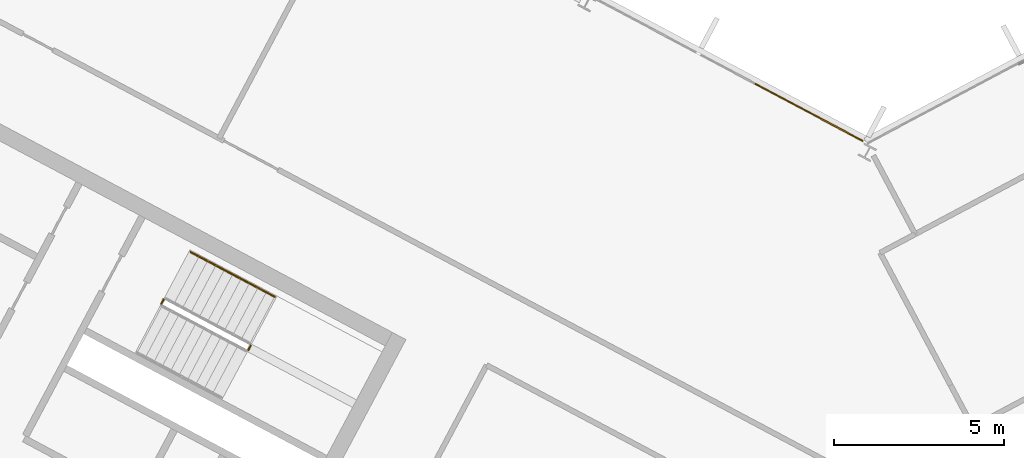
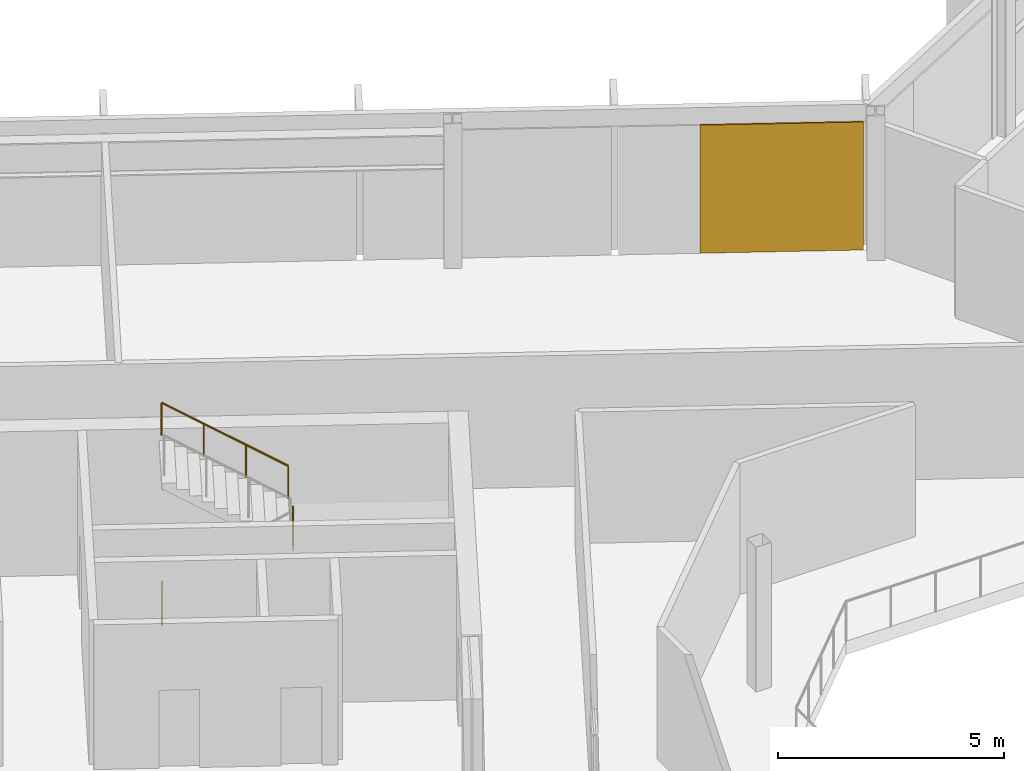
# One storey, part 22 of 25: 3 railings, 1 covering, 1 element without a shape of its own.
"""IFC4 building model written with IfcOpenShell, lengths in metres."""

from ifc_helpers import new_model, si_unit, direction, frame, origin, origin_2d, place, context, subcontext, project, spatial, polyline, rectangle, outline, extrude, material, layer, layer_set, type_object, element, aggregate, save


model = new_model("IFC4")

# Units and contexts
model_context = context("Model", 3, precision=1e-05, world=origin(), true_north=direction((0.0, 1.0)))
body_context = subcontext(model_context, "Body", "Model", "MODEL_VIEW")
ifc_project = project(units=[si_unit("LENGTHUNIT", "METRE"), si_unit("AREAUNIT", "SQUARE_METRE"), si_unit("VOLUMEUNIT", "CUBIC_METRE"), si_unit("PLANEANGLEUNIT", "RADIAN"), si_unit("MASSUNIT", "GRAM", prefix="KILO")], contexts=[model_context])

# Site, building, storey
site_placement = place(None, origin())
site = spatial("IfcSite", under=ifc_project, at=site_placement, CompositionType="ELEMENT")
building_placement = place(site_placement, origin())
building = spatial("IfcBuilding", under=site, at=building_placement, Name="Cormorant Relay Tower", CompositionType="ELEMENT")
storey_placement = place(building_placement, frame((0.0, 0.0, 273.60009765625)))
storey = spatial("IfcBuildingStorey", under=building, at=storey_placement, Name="L61", CompositionType="ELEMENT", Elevation=273.60009765625)

# Curtain wall, covering
ifc_material_1 = material(Name="Aluminium 6063-T6 anodised bronze", Category="aluminium")
ifc_layer_1 = layer(ifc_material_1, 0.199951171875)
ifc_layer_set_1 = layer_set([ifc_layer_1], Name="CW1 unitised bronze curtain wall with vertical fins")
curtain_wall_type = type_object("IfcCurtainWallType", Name="CW1 unitised bronze curtain wall with vertical fins", PredefinedType="NOTDEFINED", material=ifc_layer_set_1)
curtain_wall_placement = place(storey_placement, origin())
curtain_wall = element("IfcCurtainWall", 1, at=curtain_wall_placement, inside=storey, type_object=curtain_wall_type, Name="CW1 curtain wall 9", PredefinedType="NOTDEFINED")
ifc_material_2 = material(Name="Pale bronze anodised aluminium insulated panel", Category="aluminium")
ifc_layer_2 = layer(ifc_material_2, 0.0400390625)
ifc_layer_set_2 = layer_set([ifc_layer_2], Name="CW1 pale bronze insulated panel 40")
covering_type = type_object("IfcCoveringType", Name="CW1 pale bronze insulated panel 40", PredefinedType="CLADDING", material=ifc_layer_set_2)
covering_placement = place(storey_placement, frame((-1.718505859375, 24.720458984375, 0.0), z_axis=(0.0, 0.0, 1.0), x_axis=(-0.882947592859, 0.469471562786, 0.0)))
covering = element("IfcCovering", 2, at=covering_placement, type_object=covering_type, Name="CW1 panel S00", PredefinedType="CLADDING", context=body_context, shape_type="SweptSolid", body=[
    extrude(rectangle(XDim=3.614013671875, YDim=0.0400390625, at=origin_2d()), origin(), (0.0, 0.0, 1.0), 3.449951171875),
])
aggregate(curtain_wall, [covering])

# Railings
ifc_material_3 = material(Name="Steel ASTM A572 Grade 50 (Fy 345 MPa)", Category="steel")
railing_type_1 = type_object("IfcRailingType", Name="Stair guard 1100", PredefinedType="GUARDRAIL", material=ifc_material_3)
railing_1_placement = place(storey_placement, frame((-18.210693359375, 17.72412109375, 1.949951171875)))
element("IfcRailing", 3, at=railing_1_placement, inside=storey, type_object=railing_type_1, Name="L61 A1 stair guard 2", PredefinedType="GUARDRAIL", context=body_context, shape_type="SweptSolid", body=[
    extrude(outline(polyline([(0.022216796875, 0.00927734375), (0.00927734375, 0.022216796875), (-0.00927734375, 0.022216796875), (-0.022216796875, 0.00927734375), (-0.022216796875, -0.00927734375), (-0.00927734375, -0.022216796875), (0.00927734375, -0.022216796875), (0.022216796875, -0.00927734375), (0.022216796875, 0.00927734375)])), frame((0.0, 0.0, 1.076171875), z_axis=(0.470503732759, 0.882398003998, 0.0), x_axis=(-0.882398003998, 0.470503732759, 0.0)), (0.0, 0.0, 1.0), 0.14990234375),
    extrude(outline(polyline([(0.019287109375, 0.008056640625), (0.008056640625, 0.019287109375), (-0.008056640625, 0.019287109375), (-0.019287109375, 0.008056640625), (-0.019287109375, -0.008056640625), (-0.008056640625, -0.019287109375), (0.008056640625, -0.019287109375), (0.019287109375, -0.008056640625), (0.019287109375, 0.008056640625)])), origin(), (0.0, 0.0, 1.0), 1.052001953125),
    extrude(outline(polyline([(0.019287109375, 0.008056640625), (0.008056640625, 0.019287109375), (-0.008056640625, 0.019287109375), (-0.019287109375, 0.008056640625), (-0.019287109375, -0.008056640625), (-0.008056640625, -0.019287109375), (0.008056640625, -0.019287109375), (0.019287109375, -0.008056640625), (0.019287109375, 0.008056640625)])), frame((0.070556640625, 0.13232421875, 0.0)), (0.0, 0.0, 1.0), 1.052001953125),
])
railing_2_placement = place(storey_placement, frame((-20.771240234375, 19.08544921875, 0.0)))
element("IfcRailing", 4, at=railing_2_placement, inside=storey, type_object=railing_type_1, Name="L61 A1 stair guard 4", PredefinedType="GUARDRAIL", context=body_context, shape_type="SweptSolid", body=[
    extrude(outline(polyline([(0.022216796875, 0.00927734375), (0.00927734375, 0.022216796875), (-0.00927734375, 0.022216796875), (-0.022216796875, 0.00927734375), (-0.022216796875, -0.00927734375), (-0.00927734375, -0.022216796875), (0.00927734375, -0.022216796875), (0.022216796875, -0.00927734375), (0.022216796875, 0.00927734375)])), frame((0.0, 0.0, 1.076171875), z_axis=(0.469828648786, 0.882757634224, 0.0), x_axis=(-0.882757634224, 0.469828648786, 0.0)), (0.0, 0.0, 1.0), 0.150146484375),
    extrude(outline(polyline([(0.019287109375, 0.008056640625), (0.008056640625, 0.019287109375), (-0.008056640625, 0.019287109375), (-0.019287109375, 0.008056640625), (-0.019287109375, -0.008056640625), (-0.008056640625, -0.019287109375), (0.008056640625, -0.019287109375), (0.019287109375, -0.008056640625), (0.019287109375, 0.008056640625)])), origin(), (0.0, 0.0, 1.0), 1.052001953125),
    extrude(outline(polyline([(0.019287109375, 0.008056640625), (0.008056640625, 0.019287109375), (-0.008056640625, 0.019287109375), (-0.019287109375, 0.008056640625), (-0.019287109375, -0.008056640625), (-0.008056640625, -0.019287109375), (0.008056640625, -0.019287109375), (0.019287109375, -0.008056640625), (0.019287109375, 0.008056640625)])), frame((0.070556640625, 0.132568359375, 0.0)), (0.0, 0.0, 1.0), 1.052001953125),
])
ifc_material_4 = material(Name="Steel ASTM A572 Grade 50 (Fy 345 MPa)", Category="steel")
railing_type_2 = type_object("IfcRailingType", Name="Stair handrail 900", PredefinedType="HANDRAIL", material=ifc_material_4)
railing_3_placement = place(storey_placement, frame((-17.433349609375, 19.292724609375, 2.127197265625)))
element("IfcRailing", 5, at=railing_3_placement, inside=storey, type_object=railing_type_2, Name="L61 A1 stair handrail 2", PredefinedType="HANDRAIL", context=body_context, shape_type="SweptSolid", body=[
    extrude(outline(polyline([(0.022216796875, 0.00927734375), (0.00927734375, 0.022216796875), (-0.00927734375, 0.022216796875), (-0.022216796875, 0.00927734375), (-0.022216796875, -0.00927734375), (-0.00927734375, -0.022216796875), (0.00927734375, -0.022216796875), (0.022216796875, -0.00927734375), (0.022216796875, 0.00927734375)])), frame((0.0, 0.0, 0.8759765625), z_axis=(-0.746001213114, 0.396649272309, 0.534931345884), x_axis=(-0.469465464807, -0.882950835185, 0.0)), (0.0, 0.0, 1.0), 3.31396484375),
    extrude(outline(polyline([(0.019287109375, 0.008056640625), (0.008056640625, 0.019287109375), (-0.008056640625, 0.019287109375), (-0.019287109375, 0.008056640625), (-0.019287109375, -0.008056640625), (-0.008056640625, -0.019287109375), (0.008056640625, -0.019287109375), (0.019287109375, -0.008056640625), (0.019287109375, 0.008056640625)])), origin(), (0.0, 0.0, 1.0), 0.851806640625),
    extrude(outline(polyline([(0.019287109375, 0.008056640625), (0.008056640625, 0.019287109375), (-0.008056640625, 0.019287109375), (-0.019287109375, 0.008056640625), (-0.019287109375, -0.008056640625), (-0.008056640625, -0.019287109375), (0.008056640625, -0.019287109375), (0.019287109375, -0.008056640625), (0.019287109375, 0.008056640625)])), frame((-0.823974609375, 0.438232421875, 0.5908203125)), (0.0, 0.0, 1.0), 0.851806640625),
    extrude(outline(polyline([(0.019287109375, 0.008056640625), (0.008056640625, 0.019287109375), (-0.008056640625, 0.019287109375), (-0.019287109375, 0.008056640625), (-0.019287109375, -0.008056640625), (-0.008056640625, -0.019287109375), (0.008056640625, -0.019287109375), (0.019287109375, -0.008056640625), (0.019287109375, 0.008056640625)])), frame((-1.648193359375, 0.876220703125, 1.181884765625)), (0.0, 0.0, 1.0), 0.851806640625),
    extrude(outline(polyline([(0.019287109375, 0.008056640625), (0.008056640625, 0.019287109375), (-0.008056640625, 0.019287109375), (-0.019287109375, 0.008056640625), (-0.019287109375, -0.008056640625), (-0.008056640625, -0.019287109375), (0.008056640625, -0.019287109375), (0.019287109375, -0.008056640625), (0.019287109375, 0.008056640625)])), frame((-2.47216796875, 1.314453125, 1.772705078125)), (0.0, 0.0, 1.0), 0.851806640625),
])

save(model, "model.ifc")
